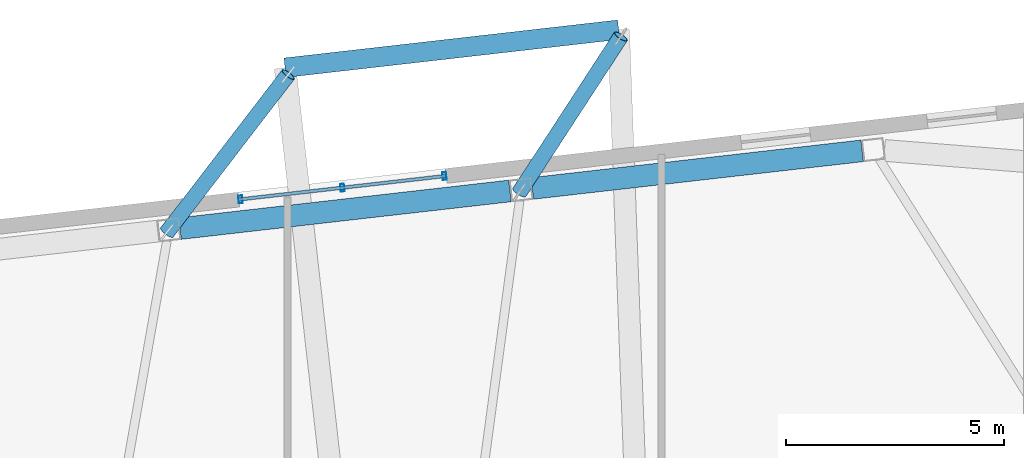
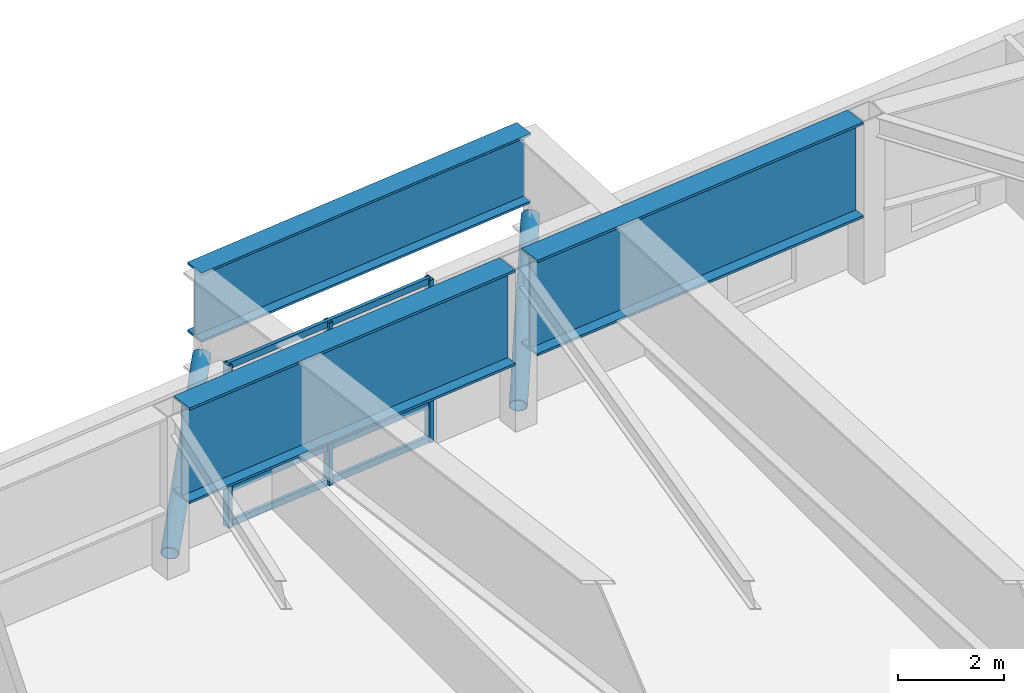
# One storey, part 10 of 20: 8 members, 3 beams, 1 element without a shape of its own.
"""IFC4 building model written with IfcOpenShell, lengths in metres."""

from ifc_helpers import new_model, si_unit, direction, frame, origin, origin_2d, place, context, subcontext, project, spatial, hollow_rectangle, hollow_circle, i_section, extrude, material, layer, layer_set, material_profile, profile_set, type_object, element, aggregate, save


model = new_model("IFC4")

# Units and contexts
model_context = context("Model", 3, precision=1e-05, world=origin(), true_north=direction((0.0, 1.0)))
body_context = subcontext(model_context, "Body", "Model", "MODEL_VIEW")
ifc_project = project(units=[si_unit("LENGTHUNIT", "METRE"), si_unit("AREAUNIT", "SQUARE_METRE"), si_unit("VOLUMEUNIT", "CUBIC_METRE"), si_unit("PLANEANGLEUNIT", "RADIAN"), si_unit("MASSUNIT", "GRAM", prefix="KILO")], contexts=[model_context])

# Site, building, storey
site_placement = place(None, origin())
site = spatial("IfcSite", under=ifc_project, at=site_placement, CompositionType="ELEMENT")
building_placement = place(site_placement, origin())
building = spatial("IfcBuilding", under=site, at=building_placement, Name="Tavrogorsk Clinical Tower", CompositionType="ELEMENT")
storey_placement = place(building_placement, frame((0.0, 0.0, 234.199951171875)))
storey = spatial("IfcBuildingStorey", under=building, at=storey_placement, Name="L54", CompositionType="ELEMENT", Elevation=234.199951171875)

# Curtain wall, members
ifc_material_1 = material(Name="Anodised aluminium and triple IGU glazing", Category="aluminium")
ifc_layer = layer(ifc_material_1, 0.179931640625)
ifc_layer_set = layer_set([ifc_layer], Name="Anodised aluminium and triple IGU glazing")
curtain_wall_type = type_object("IfcCurtainWallType", Name="CW2_NorthSlot", PredefinedType="NOTDEFINED", material=ifc_layer_set)
curtain_wall_placement = place(storey_placement, origin())
curtain_wall = element("IfcCurtainWall", 1, at=curtain_wall_placement, inside=storey, type_object=curtain_wall_type, Name="L54 Curtain Wall CW-L54-N-SLOT-2", PredefinedType="NOTDEFINED")
ifc_material_2 = material(Name="Anodised aluminium alloy AW-6060", Category="aluminium")
ifc_material_profile_1 = material_profile(ifc_material_2, hollow_rectangle(XDim=0.090087890625, YDim=0.179931640625, WallThickness=0.00634765625, at=origin_2d()), Name="RHS-180x90x6.3")
ifc_profile_set_1 = profile_set([ifc_material_profile_1], Name="Anodised aluminium alloy AW-6060")
member_type_1 = type_object("IfcMemberType", Name="CwMullion_180x90", PredefinedType="MULLION", material=ifc_profile_set_1)
member_1_placement = place(storey_placement, frame((5.410400390625, 27.270263671875, 0.0), z_axis=(0.0, 0.0, 1.0), x_axis=(-0.993571855603, -0.11320321441, 0.0)))
member_1 = element("IfcMember", 2, at=member_1_placement, type_object=member_type_1, Name="CW-L54-N-SLOT-2 Mullion 1", PredefinedType="MULLION", context=body_context, shape_type="SweptSolid", body=[
    extrude(hollow_rectangle(XDim=0.090087890625, YDim=0.179931640625, WallThickness=0.00634765625, at=origin_2d()), origin(), (0.0, 0.0, 1.0), 3.739990234375),
])
member_2_placement = place(storey_placement, frame((3.06640625, 27.003173828125, 0.0), z_axis=(0.0, 0.0, 1.0), x_axis=(-0.993571855603, -0.11320321441, 0.0)))
member_2 = element("IfcMember", 3, at=member_2_placement, type_object=member_type_1, Name="CW-L54-N-SLOT-2 Mullion 2", PredefinedType="MULLION", context=body_context, shape_type="SweptSolid", body=[
    extrude(hollow_rectangle(XDim=0.090087890625, YDim=0.179931640625, WallThickness=0.00634765625, at=origin_2d()), origin(), (0.0, 0.0, 1.0), 3.739990234375),
])
member_3_placement = place(storey_placement, frame((0.72265625, 26.736083984375, 0.0), z_axis=(0.0, 0.0, 1.0), x_axis=(-0.993571855603, -0.11320321441, 0.0)))
member_3 = element("IfcMember", 4, at=member_3_placement, type_object=member_type_1, Name="CW-L54-N-SLOT-2 Mullion 3", PredefinedType="MULLION", context=body_context, shape_type="SweptSolid", body=[
    extrude(hollow_rectangle(XDim=0.090087890625, YDim=0.179931640625, WallThickness=0.00634765625, at=origin_2d()), origin(), (0.0, 0.0, 1.0), 3.739990234375),
])
ifc_material_3 = material(Name="Anodised aluminium alloy AW-6060", Category="aluminium")
ifc_material_profile_2 = material_profile(ifc_material_3, hollow_rectangle(XDim=0.074951171875, YDim=0.14990234375, WallThickness=0.0048828125, at=origin_2d()), Name="RHS-150x75x5")
ifc_profile_set_2 = profile_set([ifc_material_profile_2], Name="Anodised aluminium alloy AW-6060")
member_type_2 = type_object("IfcMemberType", Name="CwTransom_150x75", PredefinedType="USERDEFINED", material=ifc_profile_set_2)
member_4_placement = place(storey_placement, frame((5.410400390625, 27.270263671875, 0.050048828125), z_axis=(-0.993569979218, -0.113219682023, 0.0), x_axis=(0.113219682023, -0.993569979218, 0.0)))
member_4 = element("IfcMember", 5, at=member_4_placement, type_object=member_type_2, Name="CW-L54-N-SLOT-2 Transom 1", ObjectType="TRANSOM", PredefinedType="USERDEFINED", context=body_context, shape_type="SweptSolid", body=[
    extrude(hollow_rectangle(XDim=0.074951171875, YDim=0.14990234375, WallThickness=0.0048828125, at=origin_2d()), origin(), (0.0, 0.0, 1.0), 4.718017578125),
])
member_5_placement = place(storey_placement, frame((5.410400390625, 27.270263671875, 0.85009765625), z_axis=(-0.993569979218, -0.113219682023, 0.0), x_axis=(0.113219682023, -0.993569979218, 0.0)))
member_5 = element("IfcMember", 6, at=member_5_placement, type_object=member_type_2, Name="CW-L54-N-SLOT-2 Transom 2", ObjectType="TRANSOM", PredefinedType="USERDEFINED", context=body_context, shape_type="SweptSolid", body=[
    extrude(hollow_rectangle(XDim=0.074951171875, YDim=0.14990234375, WallThickness=0.0048828125, at=origin_2d()), origin(), (0.0, 0.0, 1.0), 4.718017578125),
])
member_6_placement = place(storey_placement, frame((5.410400390625, 27.270263671875, 3.68994140625), z_axis=(-0.993569979218, -0.113219682023, 0.0), x_axis=(0.113219682023, -0.993569979218, 0.0)))
member_6 = element("IfcMember", 7, at=member_6_placement, type_object=member_type_2, Name="CW-L54-N-SLOT-2 Transom 3", ObjectType="TRANSOM", PredefinedType="USERDEFINED", context=body_context, shape_type="SweptSolid", body=[
    extrude(hollow_rectangle(XDim=0.074951171875, YDim=0.14990234375, WallThickness=0.0048828125, at=origin_2d()), origin(), (0.0, 0.0, 1.0), 4.718017578125),
])
aggregate(curtain_wall, [member_1, member_2, member_3, member_4, member_5, member_6])

# Members
ifc_material_4 = material(Name="Structural steel S390", Category="steel")
ifc_material_profile_3 = material_profile(ifc_material_4, hollow_circle(Radius=0.177734375, WallThickness=0.01416015625, at=origin_2d()), Name="CHS-355.6x14.2")
ifc_profile_set_3 = profile_set([ifc_material_profile_3], Name="Structural steel S390")
member_type_3 = type_object("IfcMemberType", Name="DayroomStrut_CHS355", PredefinedType="STRUT", material=ifc_profile_set_3)
member_7_placement = place(storey_placement, frame((-0.970458984375, 25.974609375, 0.4267578125), z_axis=(0.583242145889, 0.758801860524, 0.289910909978), x_axis=(-0.792851968911, 0.609414272391, 0.0)))
element("IfcMember", 8, at=member_7_placement, inside=storey, type_object=member_type_3, Name="L55 Day-Room Raking Strut DRB-08-L", PredefinedType="STRUT", context=body_context, shape_type="SweptSolid", body=[
    extrude(hollow_circle(Radius=0.177734375, WallThickness=0.01416015625, at=origin_2d()), origin(), (0.0, 0.0, 1.0), 4.782470703125),
])
member_8_placement = place(storey_placement, frame((7.130859375, 26.893798828125, 0.42529296875), z_axis=(0.518847047388, 0.797081966073, 0.308962911655), x_axis=(-0.838086093243, 0.545537991631, 0.0)))
element("IfcMember", 9, at=member_8_placement, inside=storey, type_object=member_type_3, Name="L55 Day-Room Raking Strut DRB-08-R", PredefinedType="STRUT", context=body_context, shape_type="SweptSolid", body=[
    extrude(hollow_circle(Radius=0.177734375, WallThickness=0.01416015625, at=origin_2d()), origin(), (0.0, 0.0, 1.0), 4.4970703125),
])

# Beams
ifc_material_5 = material(Name="Structural steel S440", Category="steel")
ifc_material_profile_4 = material_profile(ifc_material_5, i_section(OverallWidth=0.449951171875, OverallDepth=1.60009765625, WebThickness=0.031982421875, FlangeThickness=0.050048828125, at=origin_2d()), Name="DK-1600x450x32x50")
ifc_profile_set_4 = profile_set([ifc_material_profile_4], Name="Structural steel S440")
beam_type_1 = type_object("IfcBeamType", Name="TransferGirder_DK1600", PredefinedType="USERDEFINED", material=ifc_profile_set_4)
beam_placement = place(storey_placement, frame((1.747314453125, 29.761474609375, 2.93994140625), z_axis=(0.993579496193, 0.113136133685, 0.0), x_axis=(-0.113136133685, 0.993579496193, 0.0)))
element("IfcBeam", 10, at=beam_placement, inside=storey, type_object=beam_type_1, Name="L55 Day-Room Base Edge Girder DRB-08", ObjectType="GIRDER", PredefinedType="USERDEFINED", context=body_context, shape_type="SweptSolid", body=[
    extrude(i_section(OverallWidth=0.449951171875, OverallDepth=1.60009765625, WebThickness=0.031982421875, FlangeThickness=0.050048828125, at=origin_2d()), origin(), (0.0, 0.0, 1.0), 7.716796875),
])
ifc_material_6 = material(Name="Structural steel S440", Category="steel")
ifc_material_profile_5 = material_profile(ifc_material_6, i_section(OverallWidth=0.5, OverallDepth=2.199951171875, WebThickness=0.035888671875, FlangeThickness=0.054931640625, at=origin_2d()), Name="DK-2200x500x36x55")
ifc_profile_set_5 = profile_set([ifc_material_profile_5], Name="Structural steel S440")
beam_type_2 = type_object("IfcBeamType", Name="TransferGirder_DK2200", PredefinedType="USERDEFINED", material=ifc_profile_set_5)
for number, where, z_axis, x_axis, name in (
    (11, (15.01220703125, 27.850830078125, 2.64013671875), (-0.993572099834, -0.113201070804, 0.0), (0.113201070804, -0.993572099834, 0.0), "L54 Perimeter Spandrel N2-N3"),
    (12, (6.916015625, 26.928466796875, 2.64013671875), (-0.993572099834, -0.113201070804, 0.0), (0.113201070804, -0.993572099834, 0.0), "L54 Perimeter Spandrel N3-N4"),
):
    element("IfcBeam", number, at=place(storey_placement, frame(where, z_axis=z_axis, x_axis=x_axis)), inside=storey, type_object=beam_type_2, Name=name, ObjectType="GIRDER", PredefinedType="USERDEFINED", context=body_context, shape_type="SweptSolid", body=[
        extrude(i_section(OverallWidth=0.5, OverallDepth=2.199951171875, WebThickness=0.035888671875, FlangeThickness=0.054931640625, at=origin_2d()), origin(), (0.0, 0.0, 1.0), 7.632568359375),
    ])

save(model, "model.ifc")
